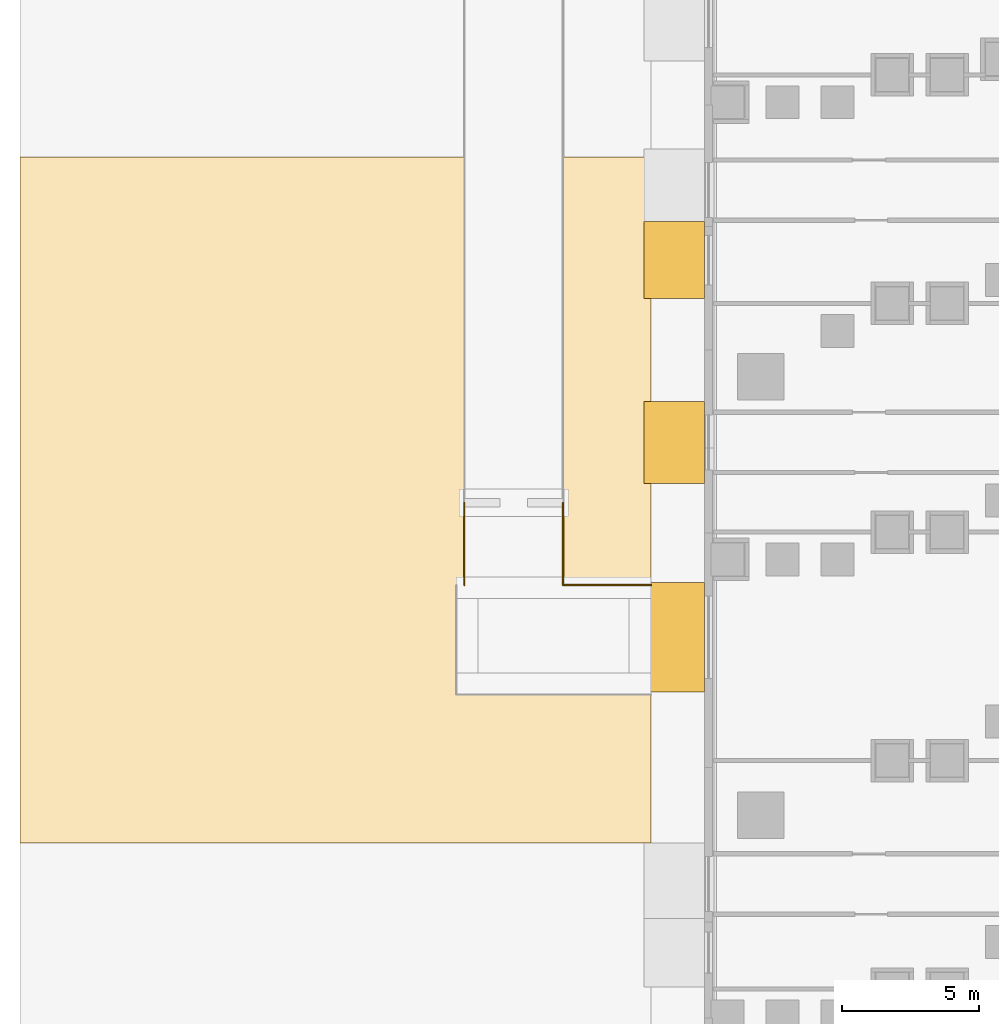
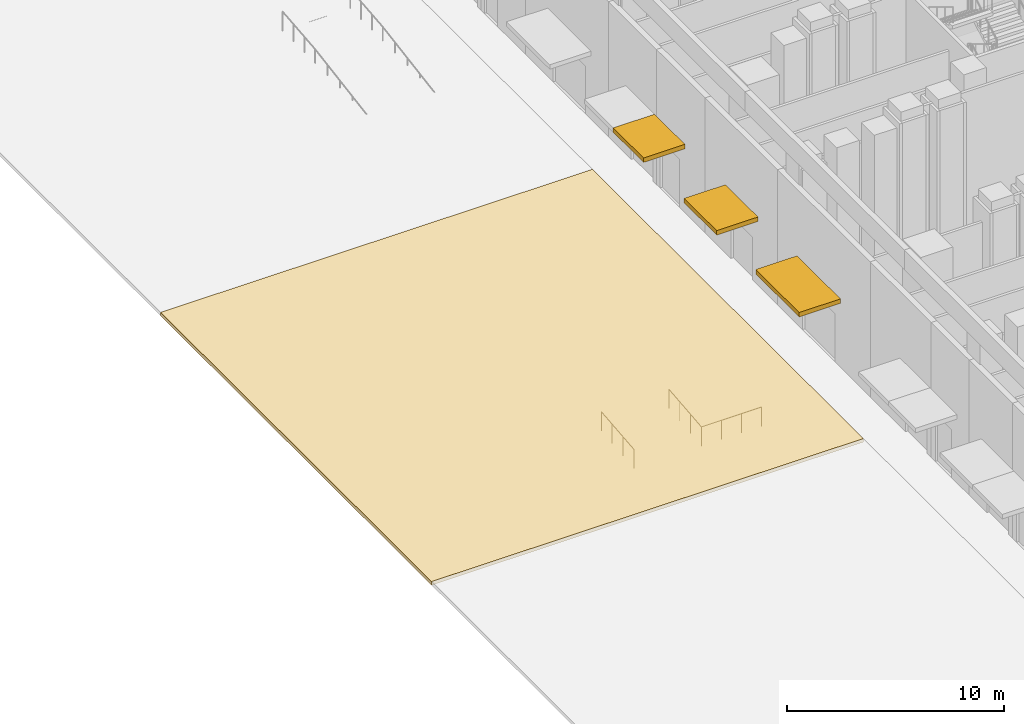
# One storey, part 37 of 51: 3 railings, 3 shading devices, 1 covering.
"""IFC4 building model written with IfcOpenShell, lengths in metres."""

from ifc_helpers import new_model, si_unit, direction, frame, origin, origin_2d, place, context, subcontext, project, spatial, polyline, rectangle, circle, outline, extrude, material, layer, layer_set, type_object, element, save


model = new_model("IFC4")

# Units and contexts
model_context = context("Model", 3, precision=1e-05, world=origin(), true_north=direction((0.0, 1.0)))
body_context = subcontext(model_context, "Body", "Model", "MODEL_VIEW")
ifc_project = project(units=[si_unit("LENGTHUNIT", "METRE"), si_unit("AREAUNIT", "SQUARE_METRE"), si_unit("VOLUMEUNIT", "CUBIC_METRE"), si_unit("PLANEANGLEUNIT", "RADIAN"), si_unit("MASSUNIT", "GRAM", prefix="KILO")], contexts=[model_context])

# Site, building, storey
site_placement = place(None, origin())
site = spatial("IfcSite", under=ifc_project, at=site_placement, CompositionType="ELEMENT")
building_placement = place(site_placement, origin())
building = spatial("IfcBuilding", under=site, at=building_placement, Name="Calabash Gate Tower", CompositionType="ELEMENT")
storey_placement = place(building_placement, origin())
storey = spatial("IfcBuildingStorey", under=building, at=storey_placement, Name="L00", CompositionType="ELEMENT", Elevation=0.0)

# Shading devices
ifc_material_1 = material(Name="Steel framed canopy with laminated glass", Category="steel")
ifc_layer_1 = layer(ifc_material_1, 0.25)
ifc_layer_set_1 = layer_set([ifc_layer_1], Name="Entrance canopy 250")
shading_device_type = type_object("IfcShadingDeviceType", Name="Entrance canopy 250", PredefinedType="AWNING", material=ifc_layer_set_1)
shading_device_1_placement = place(storey_placement, frame((-51.14990234375, -3.75390625, 3.60009765625), z_axis=(0.0, 0.0, 1.0), x_axis=(0.0, -1.0, 0.0)))
element("IfcShadingDevice", 1, at=shading_device_1_placement, inside=storey, type_object=shading_device_type, Name="Entrance canopy 24", PredefinedType="AWNING", context=body_context, shape_type="SweptSolid", body=[
    extrude(rectangle(XDim=2.800048828125, YDim=2.199951171875, at=origin_2d()), origin(), (0.0, 0.0, 1.0), 0.25),
])
shading_device_2_placement = place(storey_placement, frame((-51.14990234375, -10.39990234375, 3.60009765625), z_axis=(0.0, 0.0, 1.0), x_axis=(0.0, -1.0, 0.0)))
element("IfcShadingDevice", 2, at=shading_device_2_placement, inside=storey, type_object=shading_device_type, Name="Entrance canopy 25", PredefinedType="AWNING", context=body_context, shape_type="SweptSolid", body=[
    extrude(rectangle(XDim=3.0, YDim=2.199951171875, at=origin_2d()), origin(), (0.0, 0.0, 1.0), 0.25),
])
shading_device_3_placement = place(storey_placement, frame((-51.14990234375, -17.50390625, 3.60009765625), z_axis=(0.0, 0.0, 1.0), x_axis=(0.0, -1.0, 0.0)))
element("IfcShadingDevice", 3, at=shading_device_3_placement, inside=storey, type_object=shading_device_type, Name="Entrance canopy 26", PredefinedType="AWNING", context=body_context, shape_type="SweptSolid", body=[
    extrude(rectangle(XDim=4.0, YDim=2.199951171875, at=origin_2d()), origin(), (0.0, 0.0, 1.0), 0.25),
])

# Covering
ifc_material_2 = material(Name="Granite paving on compacted gravel", Category="masonry")
ifc_layer_2 = layer(ifc_material_2, 0.199951171875)
ifc_layer_set_2 = layer_set([ifc_layer_2], Name="Granite paving slab 200")
covering_type = type_object("IfcCoveringType", Name="Granite paving slab 200", PredefinedType="FLOORING", material=ifc_layer_set_2)
covering_placement = place(storey_placement, frame((0.0, 0.0, -0.199951171875)))
element("IfcCovering", 4, at=covering_placement, inside=storey, type_object=covering_type, Name="Plaza paving 2", PredefinedType="FLOORING", context=body_context, shape_type="SweptSolid", body=[
    extrude(outline(polyline([(-75.0, -25.0), (-52.0, -25.0), (-52.0, 0.0), (-75.0, 0.0), (-75.0, -25.0)])), origin(), (0.0, 0.0, 1.0), 0.199951171875),
])

# Railings
ifc_material_3 = material(Name="Galvanised steel balusters", Category="steel")
railing_type = type_object("IfcRailingType", Name="Ramp guard RG1100", PredefinedType="GUARDRAIL", material=ifc_material_3)
for number, where, name in (
    (5, (-58.800048828125, -15.60009765625, -5.0), "Exit Ramp guard"),
    (6, (-55.199951171875, -15.60009765625, -5.0), "Exit Ramp guard"),
):
    element("IfcRailing", number, at=place(storey_placement, frame(where)), inside=storey, type_object=railing_type, Name=name, PredefinedType="GUARDRAIL", context=body_context, shape_type="SweptSolid", body=[
        extrude(circle(Radius=0.02392578125, at=origin_2d()), frame((0.0, 0.0, 1.076171875), z_axis=(0.0, 0.995035586592, 0.0995197539), x_axis=(-1.0, 0.0, 0.0)), (0.0, 0.0, 1.0), 3.014892578125),
        extrude(circle(Radius=0.02099609375, at=origin_2d()), origin(), (0.0, 0.0, 1.0), 1.052001953125),
        extrude(circle(Radius=0.02099609375, at=origin_2d()), frame((0.0, 1.0, 0.10009765625)), (0.0, 0.0, 1.0), 1.052001953125),
        extrude(circle(Radius=0.02099609375, at=origin_2d()), frame((0.0, 2.0, 0.199951171875)), (0.0, 0.0, 1.0), 1.052001953125),
        extrude(circle(Radius=0.02099609375, at=origin_2d()), frame((0.0, 3.0, 0.300048828125)), (0.0, 0.0, 1.0), 1.052001953125),
    ])
railing_placement = place(storey_placement, frame((-52.0, -15.60009765625, -5.0)))
element("IfcRailing", 7, at=railing_placement, inside=storey, type_object=railing_type, Name="Exit Ramp landing guard", PredefinedType="GUARDRAIL", context=body_context, shape_type="SweptSolid", body=[
    extrude(circle(Radius=0.02392578125, at=origin_2d()), frame((0.0, 0.0, 1.076171875), z_axis=(-1.0, 0.0, 0.0), x_axis=(0.0, -1.0, 0.0)), (0.0, 0.0, 1.0), 3.199951171875),
    extrude(circle(Radius=0.02099609375, at=origin_2d()), origin(), (0.0, 0.0, 1.0), 1.052001953125),
    extrude(circle(Radius=0.02099609375, at=origin_2d()), frame((-1.066650390625, 0.0, 0.0)), (0.0, 0.0, 1.0), 1.052001953125),
    extrude(circle(Radius=0.02099609375, at=origin_2d()), frame((-2.13330078125, 0.0, 0.0)), (0.0, 0.0, 1.0), 1.052001953125),
    extrude(circle(Radius=0.02099609375, at=origin_2d()), frame((-3.199951171875, 0.0, 0.0)), (0.0, 0.0, 1.0), 1.052001953125),
])

save(model, "model.ifc")
